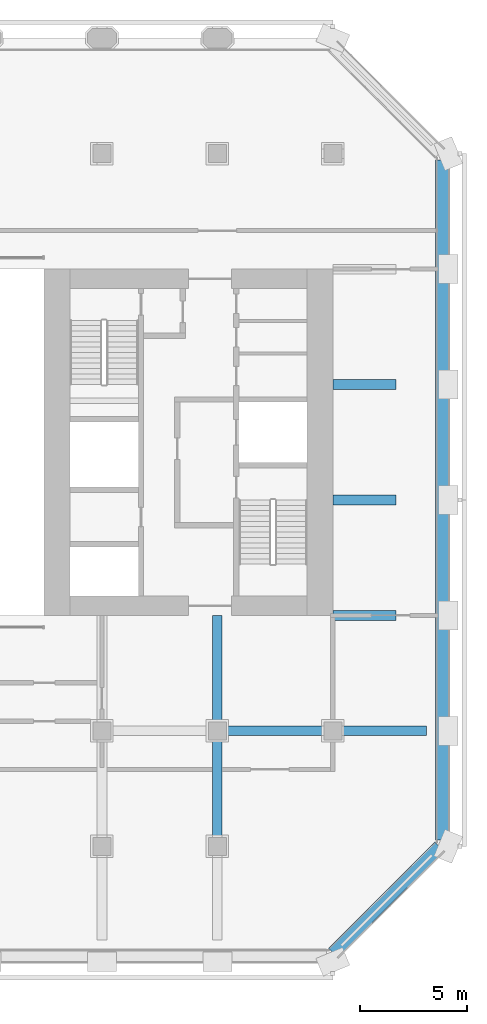
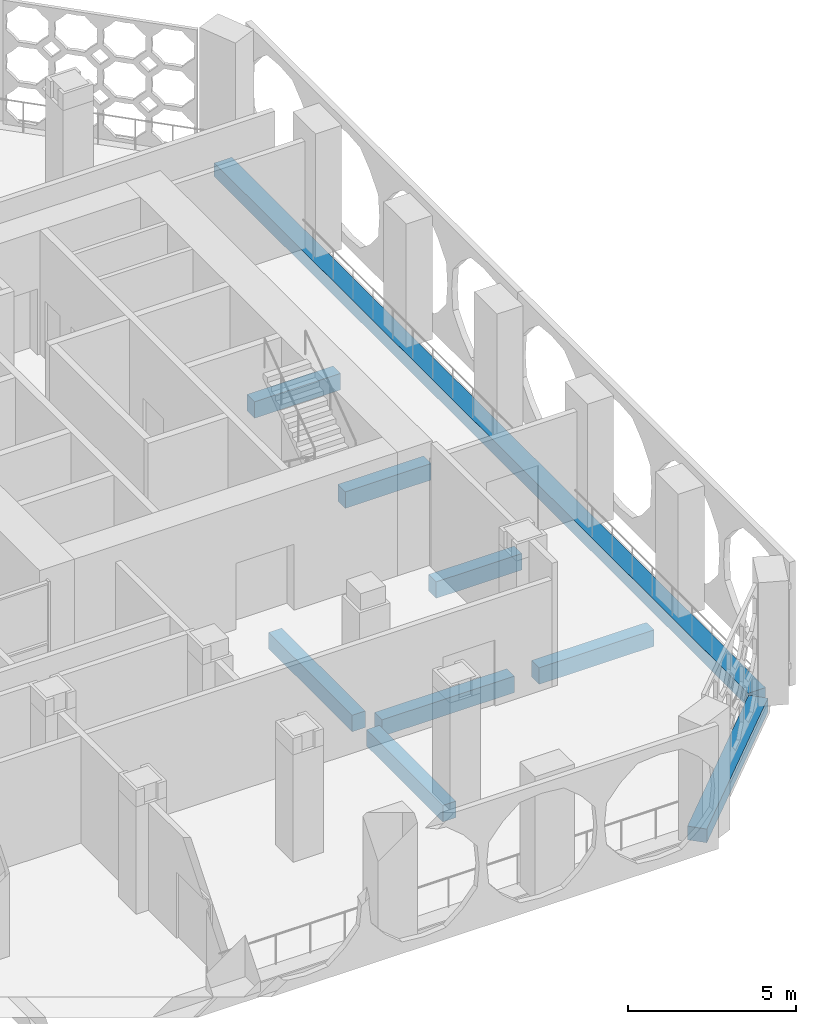
# One storey, part 3 of 14: 9 beams.
"""IFC4 building model written with IfcOpenShell, lengths in metres."""

from ifc_helpers import new_model, si_unit, direction, frame, origin, origin_2d, place, context, subcontext, project, spatial, rectangle, extrude, material, material_profile, profile_set, type_object, element, save


model = new_model("IFC4")

# Units and contexts
model_context = context("Model", 3, precision=1e-05, world=origin(), true_north=direction((0.0, 1.0)))
body_context = subcontext(model_context, "Body", "Model", "MODEL_VIEW")
ifc_project = project(units=[si_unit("LENGTHUNIT", "METRE"), si_unit("AREAUNIT", "SQUARE_METRE"), si_unit("VOLUMEUNIT", "CUBIC_METRE"), si_unit("PLANEANGLEUNIT", "RADIAN"), si_unit("MASSUNIT", "GRAM", prefix="KILO")], contexts=[model_context])

# Site, building, storey
site_placement = place(None, origin())
site = spatial("IfcSite", under=ifc_project, at=site_placement, CompositionType="ELEMENT")
building_placement = place(site_placement, origin())
building = spatial("IfcBuilding", under=site, at=building_placement, Name="Tabaq Tower and Sports Hall", CompositionType="ELEMENT")
storey_placement = place(building_placement, frame((0.0, 0.0, 175.89990234375)))
storey = spatial("IfcBuildingStorey", under=building, at=storey_placement, Name="L42", CompositionType="ELEMENT", Elevation=175.89990234375)

# Beams
ifc_material_1 = material(Name="Concrete C40/50", Category="concrete")
ifc_material_profile_1 = material_profile(ifc_material_1, rectangle(XDim=0.449951171875, YDim=0.60009765625, at=origin_2d()), Name="CB 450x600")
ifc_profile_set_1 = profile_set([ifc_material_profile_1], Name="Concrete C40/50")
beam_type_1 = type_object("IfcBeamType", Name="PT CANTILEVER BEAM CB 450x600 C40/50", PredefinedType="BEAM", material=ifc_profile_set_1)
beam_1_placement = place(storey_placement, frame((47.574951171875, 10.800048828125, -0.7998046875), z_axis=(-1.0, 0.0, 0.0), x_axis=(0.0, -1.0, 0.0)))
element("IfcBeam", 1, at=beam_1_placement, inside=storey, type_object=beam_type_1, Name="Cantilever Beam L42 E2 span 1", PredefinedType="BEAM", context=body_context, shape_type="SweptSolid", body=[
    extrude(rectangle(XDim=0.449951171875, YDim=0.60009765625, at=origin_2d()), origin(), (0.0, 0.0, 1.0), 3.949951171875),
])
beam_2_placement = place(storey_placement, frame((42.77490234375, 10.800048828125, -0.7998046875), z_axis=(-1.0, 0.0, 0.0), x_axis=(0.0, -1.0, 0.0)))
element("IfcBeam", 2, at=beam_2_placement, inside=storey, type_object=beam_type_1, Name="Cantilever Beam L42 E2 span 2", PredefinedType="BEAM", context=body_context, shape_type="SweptSolid", body=[
    extrude(rectangle(XDim=0.449951171875, YDim=0.60009765625, at=origin_2d()), origin(), (0.0, 0.0, 1.0), 4.5498046875),
])
for number, where, z_axis, x_axis, name in (
    (3, (46.14990234375, 16.199951171875, -0.7998046875), (-1.0, 0.0, 0.0), (0.0, -1.0, 0.0), "Cantilever Beam L42 E3 span 1"),
    (4, (46.14990234375, 21.60009765625, -0.7998046875), (-1.0, 0.0, 0.0), (0.0, -1.0, 0.0), "Cantilever Beam L42 E4 span 1"),
    (5, (46.14990234375, 27.0, -0.7998046875), (-1.0, 0.0, 0.0), (0.0, -1.0, 0.0), "Cantilever Beam L42 E5 span 1"),
):
    element("IfcBeam", number, at=place(storey_placement, frame(where, z_axis=z_axis, x_axis=x_axis)), inside=storey, type_object=beam_type_1, Name=name, PredefinedType="BEAM", context=body_context, shape_type="SweptSolid", body=[
        extrude(rectangle(XDim=0.449951171875, YDim=0.60009765625, at=origin_2d()), origin(), (0.0, 0.0, 1.0), 2.949951171875),
    ])
beam_3_placement = place(storey_placement, frame((37.800048828125, 5.824951171875, -0.7998046875), z_axis=(0.0, 1.0, 0.0), x_axis=(-1.0, 0.0, 0.0)))
element("IfcBeam", 6, at=beam_3_placement, inside=storey, type_object=beam_type_1, Name="Cantilever Beam L42 S7 span 2", PredefinedType="BEAM", context=body_context, shape_type="SweptSolid", body=[
    extrude(rectangle(XDim=0.449951171875, YDim=0.60009765625, at=origin_2d()), origin(), (0.0, 0.0, 1.0), 4.550048828125),
])
beam_4_placement = place(storey_placement, frame((37.800048828125, 11.22509765625, -0.7998046875), z_axis=(0.0, 1.0, 0.0), x_axis=(-1.0, 0.0, 0.0)))
element("IfcBeam", 7, at=beam_4_placement, inside=storey, type_object=beam_type_1, Name="Cantilever Beam L42 S7 span 3", PredefinedType="BEAM", context=body_context, shape_type="SweptSolid", body=[
    extrude(rectangle(XDim=0.449951171875, YDim=0.60009765625, at=origin_2d()), origin(), (0.0, 0.0, 1.0), 4.974853515625),
])
ifc_material_2 = material(Name="Concrete C40/50", Category="concrete")
ifc_material_profile_2 = material_profile(ifc_material_2, rectangle(XDim=0.60009765625, YDim=0.5, at=origin_2d()), Name="EB 600x500")
ifc_profile_set_2 = profile_set([ifc_material_profile_2], Name="Concrete C40/50")
beam_type_2 = type_object("IfcBeamType", Name="PT EDGE BEAM EB 600x500 C40/50", PredefinedType="SPANDREL", material=ifc_profile_set_2)
beam_5_placement = place(storey_placement, frame((43.198974609375, 0.42333984375, -0.25), z_axis=(0.707106781187, 0.707106781187, 0.0), x_axis=(-0.707106781187, 0.707106781187, 0.0)))
element("IfcBeam", 8, at=beam_5_placement, inside=storey, type_object=beam_type_2, Name="Edge Beam L42 2", PredefinedType="SPANDREL", context=body_context, shape_type="SweptSolid", body=[
    extrude(rectangle(XDim=0.60009765625, YDim=0.5, at=origin_2d()), origin(), (0.0, 0.0, 1.0), 7.03955078125),
])
beam_6_placement = place(storey_placement, frame((48.300048828125, 5.698486328125, -0.25), z_axis=(0.0, 1.0, 0.0), x_axis=(-1.0, 0.0, 0.0)))
element("IfcBeam", 9, at=beam_6_placement, inside=storey, type_object=beam_type_2, Name="Edge Beam L42 3", PredefinedType="SPANDREL", context=body_context, shape_type="SweptSolid", body=[
    extrude(rectangle(XDim=0.60009765625, YDim=0.5, at=origin_2d()), origin(), (0.0, 0.0, 1.0), 31.802978515625),
])

save(model, "model.ifc")
